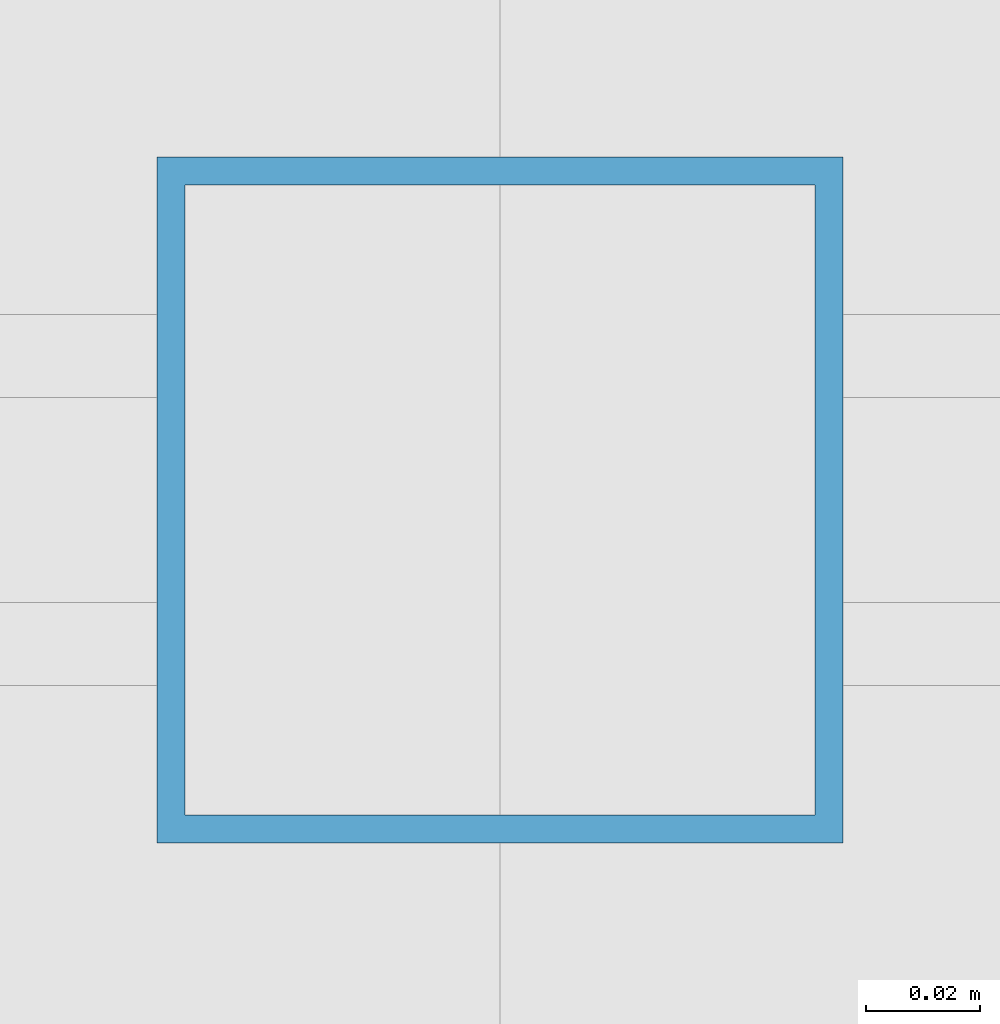
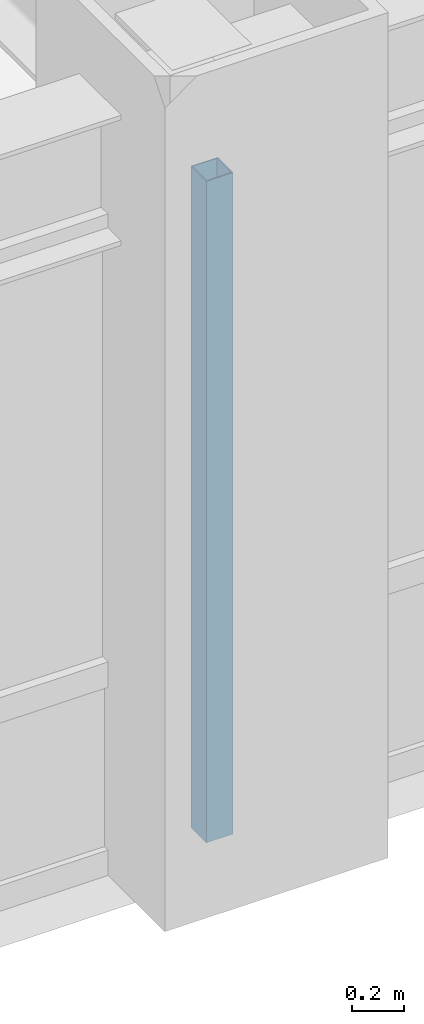
# One storey, part 4 of 24: 1 member, 1 element without a shape of its own.
"""IFC4 building model written with IfcOpenShell, lengths in metres."""

from ifc_helpers import new_model, si_unit, direction, frame, origin, origin_2d, place, context, subcontext, project, spatial, hollow_rectangle, extrude, source, transform, mapped, material, material_profile, profile_set, type_object, element, aggregate, save


model = new_model("IFC4")

# Units and contexts
model_context = context("Model", 3, precision=1e-05, world=origin(), true_north=direction((0.0, 1.0)))
body_context = subcontext(model_context, "Body", "Model", "MODEL_VIEW")
ifc_project = project(units=[si_unit("LENGTHUNIT", "METRE"), si_unit("AREAUNIT", "SQUARE_METRE"), si_unit("VOLUMEUNIT", "CUBIC_METRE"), si_unit("PLANEANGLEUNIT", "RADIAN"), si_unit("MASSUNIT", "GRAM", prefix="KILO")], contexts=[model_context])

# Site, building, storey
site_placement = place(None, origin())
site = spatial("IfcSite", under=ifc_project, at=site_placement, CompositionType="ELEMENT")
building_placement = place(site_placement, origin())
building = spatial("IfcBuilding", under=site, at=building_placement, Name="Khorayat Bourse Tower", CompositionType="ELEMENT")
storey_placement = place(building_placement, frame((0.0, 0.0, 259.10009765625)))
storey = spatial("IfcBuildingStorey", under=building, at=storey_placement, Name="L61", CompositionType="ELEMENT", Elevation=259.10009765625)

# Curtain wall, member
ifc_material = material(Name="Aluminium EN AW-6063 T6", Category="aluminium")
curtain_wall_type = type_object("IfcCurtainWallType", Name="CW-SYS-03", PredefinedType="NOTDEFINED", material=ifc_material)
curtain_wall_placement = place(storey_placement, origin())
curtain_wall = element("IfcCurtainWall", 1, at=curtain_wall_placement, inside=storey, type_object=curtain_wall_type, Name="L61 Curtain Wall CW-L61-S1", PredefinedType="NOTDEFINED")
ifc_material_profile = material_profile(ifc_material, hollow_rectangle(XDim=0.1201171875, YDim=0.1201171875, WallThickness=0.0048828125, at=origin_2d()), Name="ALU 120x120x5")
ifc_profile_set = profile_set([ifc_material_profile], Name="Aluminium EN AW-6063 T6")
member_type = type_object("IfcMemberType", Name="CWM-VERT-120", PredefinedType="MULLION", material=ifc_profile_set)
shared_shape = source(origin(), body_context, "Body", "SweptSolid", [
    extrude(hollow_rectangle(XDim=0.1201171875, YDim=0.1201171875, WallThickness=0.0048828125, at=origin_2d()), origin(), (0.0, 0.0, 1.0), 3.1298828125),
])
member_placement = place(storey_placement, frame((0.0, -30.0, 0.0), z_axis=(0.0, 0.0, 1.0), x_axis=(0.0, 1.0, 0.0)))
member = element("IfcMember", 2, at=member_placement, type_object=member_type, Name="CW-L61-S1 Vertical Mullion 2", PredefinedType="MULLION", context=body_context, shape_type="MappedRepresentation", body=[
    mapped(shared_shape, transform((0.0, 0.0, 0.0), scale=1.0)),
])
aggregate(curtain_wall, [member])

save(model, "model.ifc")
